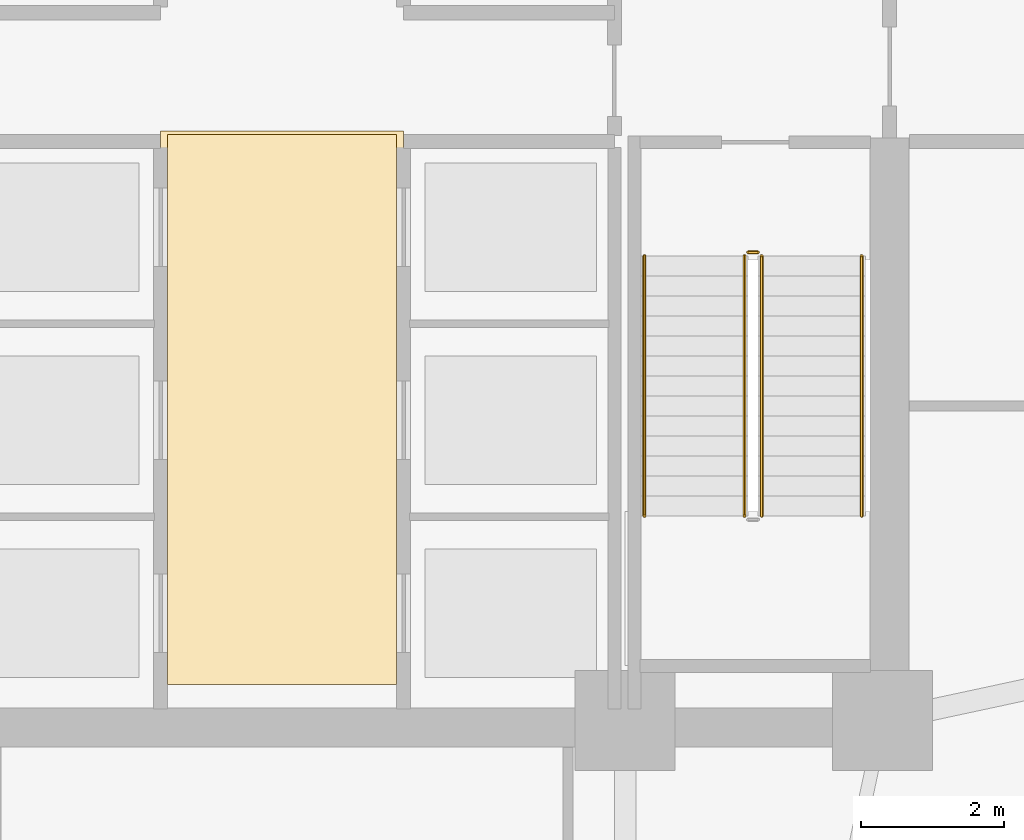
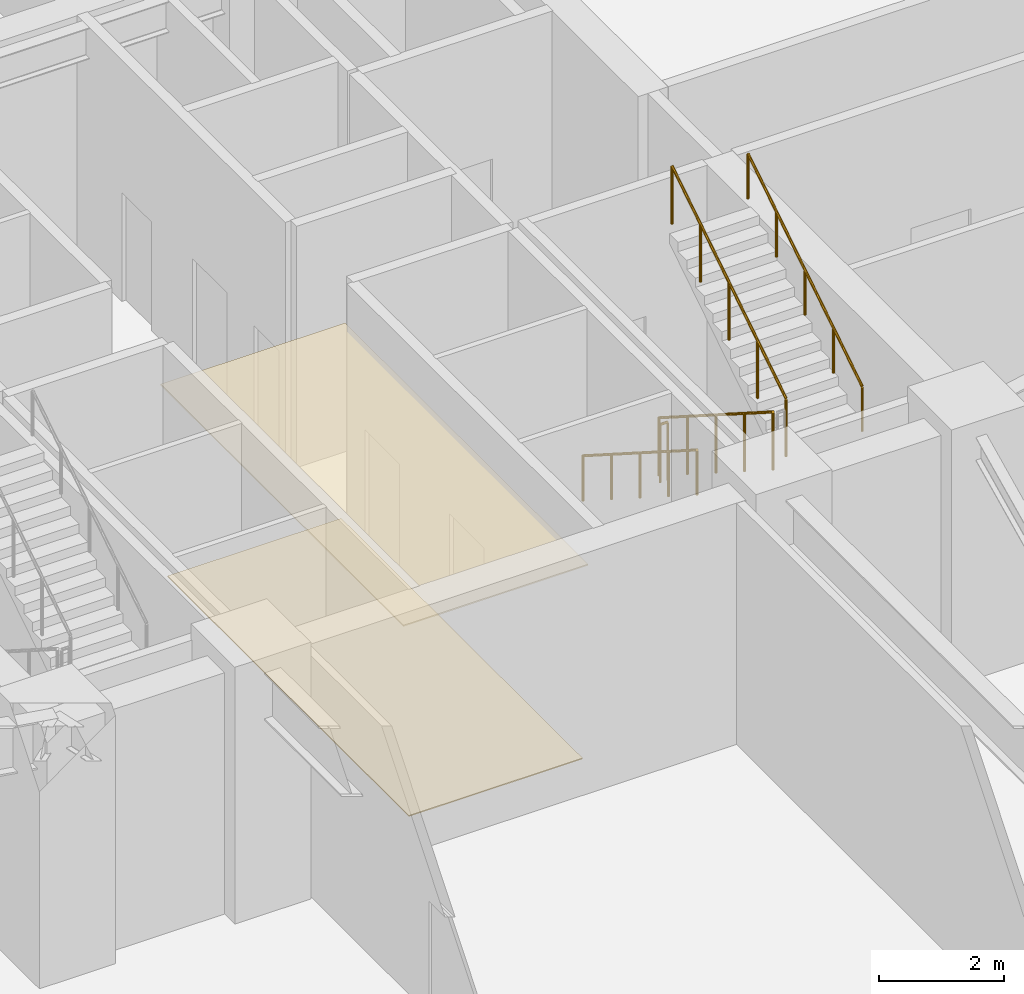
# One storey, part 16 of 21: 5 railings, 2 coverings.
"""IFC4 building model written with IfcOpenShell, lengths in metres."""

from ifc_helpers import new_model, si_unit, direction, frame, origin, origin_2d, place, context, subcontext, project, spatial, polyline, circle, outline, extrude, material, layer, layer_set, type_object, element, save


model = new_model("IFC4")

# Units and contexts
model_context = context("Model", 3, precision=1e-05, world=origin(), true_north=direction((0.0, 1.0)))
body_context = subcontext(model_context, "Body", "Model", "MODEL_VIEW")
ifc_project = project(units=[si_unit("LENGTHUNIT", "METRE"), si_unit("AREAUNIT", "SQUARE_METRE"), si_unit("VOLUMEUNIT", "CUBIC_METRE"), si_unit("PLANEANGLEUNIT", "RADIAN"), si_unit("MASSUNIT", "GRAM", prefix="KILO")], contexts=[model_context])

# Site, building, storey
site_placement = place(None, origin())
site = spatial("IfcSite", under=ifc_project, at=site_placement, CompositionType="ELEMENT")
building_placement = place(site_placement, origin())
building = spatial("IfcBuilding", under=site, at=building_placement, Name="Cairnveth Concourse Tower", CompositionType="ELEMENT")
storey_placement = place(building_placement, origin())
storey = spatial("IfcBuildingStorey", under=building, at=storey_placement, Name="L00", CompositionType="ELEMENT", Elevation=0.0)

# Covering
ifc_material_1 = material(Name="Acoustic Mineral Fibre Ceiling", Category="gypsum")
ifc_layer_1 = layer(ifc_material_1, 0.02490234375)
ifc_layer_set_1 = layer_set([ifc_layer_1], Name="Acoustic Mineral Fibre Ceiling")
covering_type_1 = type_object("IfcCoveringType", Name="ACOUSTIC MINERAL FIBRE CEILING 25", PredefinedType="CEILING", material=ifc_layer_set_1)
covering_1_placement = place(storey_placement, frame((0.0, 0.0, 3.736083984375)))
element("IfcCovering", 1, at=covering_1_placement, inside=storey, type_object=covering_type_1, Name="Lift Lobby Acoustic Ceiling L00", PredefinedType="CEILING", context=body_context, shape_type="SweptSolid", body=[
    extrude(outline(polyline([(50.300048828125, 31.10009765625), (53.699951171875, 31.10009765625), (53.699951171875, 38.85009765625), (50.300048828125, 38.85009765625), (50.300048828125, 31.10009765625)])), origin(), (0.0, 0.0, 1.0), 0.02490234375),
])

# Railings
ifc_material_2 = material(Name="Steel Grade 350", Category="steel")
railing_type_1 = type_object("IfcRailingType", Name="STAIR GUARDRAIL 1150", PredefinedType="GUARDRAIL", material=ifc_material_2)
railing_1_placement = place(storey_placement, frame((58.469970703125, 37.10009765625, 0.178466796875)))
element("IfcRailing", 2, at=railing_1_placement, inside=storey, type_object=railing_type_1, Name="L00 ST-2 stair guard 1", PredefinedType="GUARDRAIL", context=body_context, shape_type="SweptSolid", body=[
    extrude(circle(Radius=0.02392578125, at=origin_2d()), frame((0.0, 0.0, 1.1259765625), z_axis=(0.0, -0.843127859045, 0.537713132908), x_axis=(1.0, 0.0, 0.0)), (0.0, 0.0, 1.0), 4.3173828125),
    extrude(circle(Radius=0.02099609375, at=origin_2d()), origin(), (0.0, 0.0, 1.0), 1.101806640625),
    extrude(circle(Radius=0.02099609375, at=origin_2d()), frame((0.0, -0.91015625, 0.580322265625)), (0.0, 0.0, 1.0), 1.101806640625),
    extrude(circle(Radius=0.02099609375, at=origin_2d()), frame((0.0, -1.820068359375, 1.16064453125)), (0.0, 0.0, 1.0), 1.101806640625),
    extrude(circle(Radius=0.02099609375, at=origin_2d()), frame((0.0, -2.72998046875, 1.7412109375)), (0.0, 0.0, 1.0), 1.101806640625),
    extrude(circle(Radius=0.02099609375, at=origin_2d()), frame((0.0, -3.64013671875, 2.321533203125)), (0.0, 0.0, 1.0), 1.101806640625),
])
railing_2_placement = place(storey_placement, frame((58.7099609375, 33.4599609375, 2.678466796875)))
element("IfcRailing", 3, at=railing_2_placement, inside=storey, type_object=railing_type_1, Name="L00 ST-2 stair guard 3", PredefinedType="GUARDRAIL", context=body_context, shape_type="SweptSolid", body=[
    extrude(circle(Radius=0.02392578125, at=origin_2d()), frame((0.0, 0.0, 1.1259765625), z_axis=(0.0, 0.843127859045, 0.537713132908), x_axis=(-1.0, 0.0, 0.0)), (0.0, 0.0, 1.0), 4.3173828125),
    extrude(circle(Radius=0.02099609375, at=origin_2d()), origin(), (0.0, 0.0, 1.0), 1.101806640625),
    extrude(circle(Radius=0.02099609375, at=origin_2d()), frame((0.0, 0.91015625, 0.580322265625)), (0.0, 0.0, 1.0), 1.101806640625),
    extrude(circle(Radius=0.02099609375, at=origin_2d()), frame((0.0, 1.820068359375, 1.16064453125)), (0.0, 0.0, 1.0), 1.101806640625),
    extrude(circle(Radius=0.02099609375, at=origin_2d()), frame((0.0, 2.72998046875, 1.7412109375)), (0.0, 0.0, 1.0), 1.101806640625),
    extrude(circle(Radius=0.02099609375, at=origin_2d()), frame((0.0, 3.64013671875, 2.321533203125)), (0.0, 0.0, 1.0), 1.101806640625),
])
railing_3_placement = place(storey_placement, frame((58.52001953125, 37.14990234375, 0.0)))
element("IfcRailing", 4, at=railing_3_placement, inside=storey, type_object=railing_type_1, Name="L00 ST-2 stair guard 4", PredefinedType="GUARDRAIL", context=body_context, shape_type="SweptSolid", body=[
    extrude(circle(Radius=0.02392578125, at=origin_2d()), frame((0.0, 0.0, 1.1259765625), z_axis=(1.0, 0.0, 0.0), x_axis=(0.0, 1.0, 0.0)), (0.0, 0.0, 1.0), 0.139892578125),
    extrude(circle(Radius=0.02099609375, at=origin_2d()), origin(), (0.0, 0.0, 1.0), 1.101806640625),
    extrude(circle(Radius=0.02099609375, at=origin_2d()), frame((0.139892578125, 0.0, 0.0)), (0.0, 0.0, 1.0), 1.101806640625),
])
railing_type_2 = type_object("IfcRailingType", Name="STAIR WALL HANDRAIL 900", PredefinedType="HANDRAIL", material=ifc_material_2)
railing_4_placement = place(storey_placement, frame((57.070068359375, 37.10009765625, 0.178466796875)))
element("IfcRailing", 5, at=railing_4_placement, inside=storey, type_object=railing_type_2, Name="L00 ST-2 stair handrail 1", PredefinedType="HANDRAIL", context=body_context, shape_type="SweptSolid", body=[
    extrude(circle(Radius=0.02392578125, at=origin_2d()), frame((0.0, 0.0, 0.8759765625), z_axis=(0.0, -0.843127859045, 0.537713132908), x_axis=(1.0, 0.0, 0.0)), (0.0, 0.0, 1.0), 4.3173828125),
    extrude(circle(Radius=0.02099609375, at=origin_2d()), origin(), (0.0, 0.0, 1.0), 0.851806640625),
    extrude(circle(Radius=0.02099609375, at=origin_2d()), frame((0.0, -0.91015625, 0.580322265625)), (0.0, 0.0, 1.0), 0.851806640625),
    extrude(circle(Radius=0.02099609375, at=origin_2d()), frame((0.0, -1.820068359375, 1.16064453125)), (0.0, 0.0, 1.0), 0.851806640625),
    extrude(circle(Radius=0.02099609375, at=origin_2d()), frame((0.0, -2.72998046875, 1.7412109375)), (0.0, 0.0, 1.0), 0.851806640625),
    extrude(circle(Radius=0.02099609375, at=origin_2d()), frame((0.0, -3.64013671875, 2.321533203125)), (0.0, 0.0, 1.0), 0.851806640625),
])
railing_5_placement = place(storey_placement, frame((60.110107421875, 33.4599609375, 2.678466796875)))
element("IfcRailing", 6, at=railing_5_placement, inside=storey, type_object=railing_type_2, Name="L00 ST-2 stair handrail 2", PredefinedType="HANDRAIL", context=body_context, shape_type="SweptSolid", body=[
    extrude(circle(Radius=0.02392578125, at=origin_2d()), frame((0.0, 0.0, 0.8759765625), z_axis=(0.0, 0.843127859045, 0.537713132908), x_axis=(-1.0, 0.0, 0.0)), (0.0, 0.0, 1.0), 4.3173828125),
    extrude(circle(Radius=0.02099609375, at=origin_2d()), origin(), (0.0, 0.0, 1.0), 0.851806640625),
    extrude(circle(Radius=0.02099609375, at=origin_2d()), frame((0.0, 0.91015625, 0.580322265625)), (0.0, 0.0, 1.0), 0.851806640625),
    extrude(circle(Radius=0.02099609375, at=origin_2d()), frame((0.0, 1.820068359375, 1.16064453125)), (0.0, 0.0, 1.0), 0.851806640625),
    extrude(circle(Radius=0.02099609375, at=origin_2d()), frame((0.0, 2.72998046875, 1.7412109375)), (0.0, 0.0, 1.0), 0.851806640625),
    extrude(circle(Radius=0.02099609375, at=origin_2d()), frame((0.0, 3.64013671875, 2.321533203125)), (0.0, 0.0, 1.0), 0.851806640625),
])

# Covering
ifc_material_3 = material(Name="Vitrified Stoneware Tile Flooring", Category="masonry")
ifc_layer_2 = layer(ifc_material_3, 0.02001953125)
ifc_layer_set_2 = layer_set([ifc_layer_2], Name="Vitrified Stoneware Tile Flooring")
covering_type_2 = type_object("IfcCoveringType", Name="VITRIFIED STONEWARE LOBBY FLOORING 20", PredefinedType="FLOORING", material=ifc_layer_set_2)
covering_2_placement = place(storey_placement, origin())
element("IfcCovering", 7, at=covering_2_placement, inside=storey, type_object=covering_type_2, Name="Lift Lobby Stoneware Flooring L00", PredefinedType="FLOORING", context=body_context, shape_type="SweptSolid", body=[
    extrude(outline(polyline([(50.39990234375, 31.10009765625), (53.60009765625, 31.10009765625), (53.60009765625, 38.800048828125), (50.39990234375, 38.800048828125), (50.39990234375, 31.10009765625)])), origin(), (0.0, 0.0, 1.0), 0.02001953125),
])

save(model, "model.ifc")
